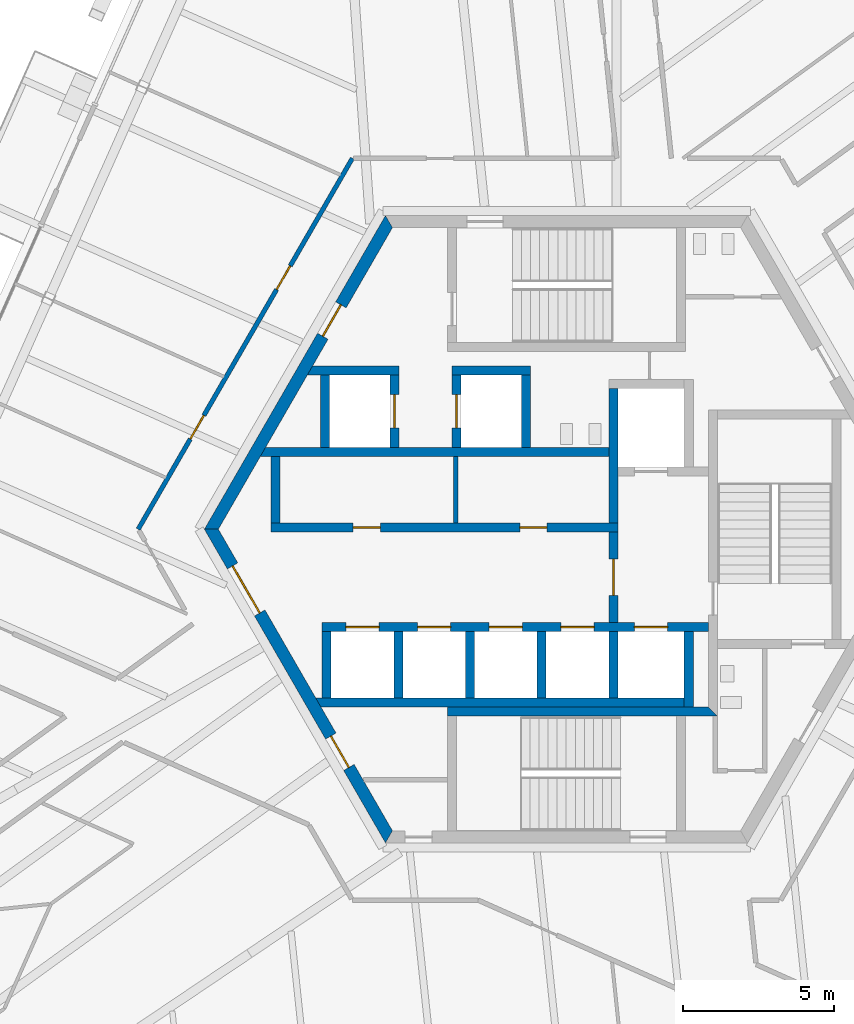
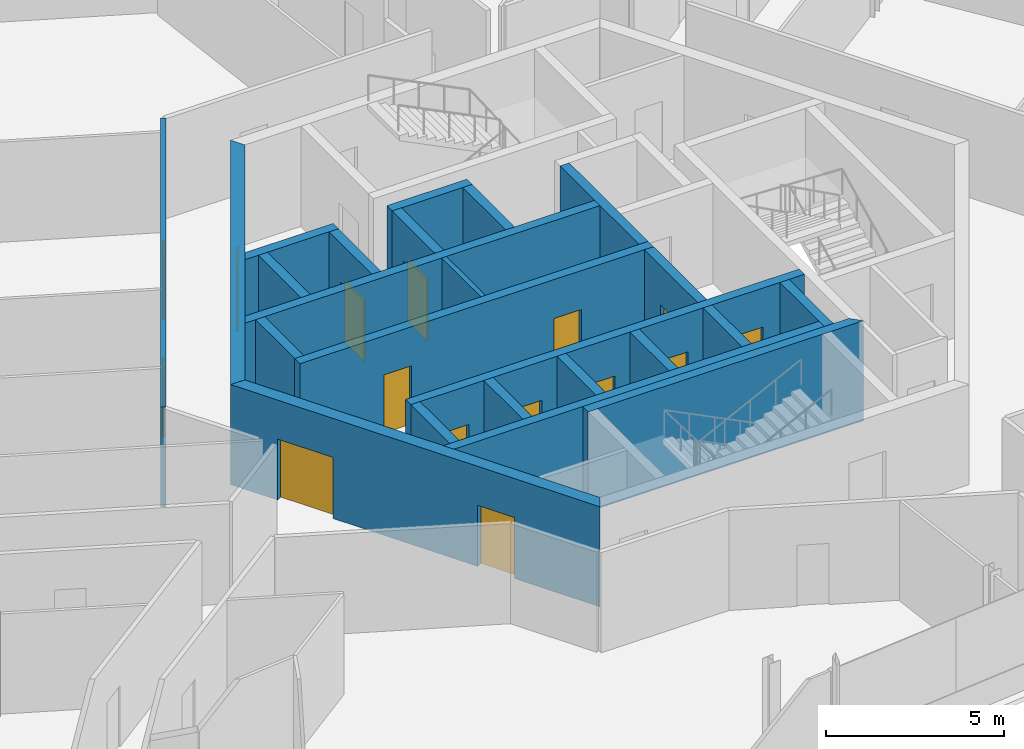
# One storey, part 11 of 20: 24 walls, 15 doors, 15 openings.
"""IFC4 building model written with IfcOpenShell, lengths in metres."""

import ifcopenshell
import ifcopenshell.guid

model = None  # the IFC model being written
_history = None  # IfcOwnerHistory: only IFC2X3 demands one
_inside = {}  # id of a spatial element -> (the spatial element, [elements in it])
_under = {}  # id of a project, library or spatial element -> (it, [spatial elements below it])
_declared = {}  # id of a project -> (the project, [libraries it declares])
_typed = {}  # id of a type object -> (the type object, [elements of that type])
_made_of = {}  # id of a material, layer set ... -> (it, [elements and type objects made of it])


def new_model(schema):
    """Start an empty IFC model of exactly this schema.

    Asked for "IFC4X3", IfcOpenShell would pick the latest addendum, in which some entities
    have other attributes; the version numbers below select the first issue.
    IFC2X3 requires an IfcOwnerHistory on every rooted entity: one is made here for all.
    """
    global model, _history
    if schema == "IFC4X3":
        model = ifcopenshell.file(schema_version=(4, 3, 0, 0))
    else:
        model = ifcopenshell.file(schema=schema)
    _inside.clear()
    _under.clear()
    _declared.clear()
    _typed.clear()
    _made_of.clear()
    _history = None
    if model.schema == "IFC2X3":
        org = make("IfcOrganization", Name="unknown")
        user = make(
            "IfcPersonAndOrganization",
            ThePerson=make("IfcPerson", FamilyName="unknown"),
            TheOrganization=org,
        )
        app = make(
            "IfcApplication",
            ApplicationDeveloper=org,
            Version="unknown",
            ApplicationFullName="unknown",
            ApplicationIdentifier="unknown",
        )
        _history = make(
            "IfcOwnerHistory",
            OwningUser=user,
            OwningApplication=app,
            ChangeAction="ADDED",
            CreationDate=0,
        )
    return model


def make(cls, **values):
    """One entity of the class cls with the attributes given. An attribute that is None is left unset."""
    return model.create_entity(
        cls, **{name: value for name, value in values.items() if value is not None}
    )


def rooted(cls, **values):
    """An entity with a GlobalId (a new one), such as an element, a storey or a relation."""
    return make(cls, GlobalId=ifcopenshell.guid.new(), OwnerHistory=_history, **values)


def si_unit(unit_type, name, prefix=None):
    """IfcSIUnit, for example si_unit("LENGTHUNIT", "METRE", prefix="MILLI")."""
    return make("IfcSIUnit", UnitType=unit_type, Prefix=prefix, Name=name)


def assignment(units):
    """IfcUnitAssignment: the units of a project."""
    return None if units is None else make("IfcUnitAssignment", Units=units)


def point(xyz):
    """IfcCartesianPoint."""
    return None if xyz is None else make("IfcCartesianPoint", Coordinates=xyz)


def direction(xyz):
    """IfcDirection."""
    return None if xyz is None else make("IfcDirection", DirectionRatios=xyz)


def frame(location, z_axis=None, x_axis=None):
    """IfcAxis2Placement3D, a coordinate frame: its origin and axes. An axis left out is left unset."""
    return make(
        "IfcAxis2Placement3D",
        Location=point(location),
        Axis=direction(z_axis),
        RefDirection=direction(x_axis),
    )


def frame_2d(location, x_axis=None):
    """IfcAxis2Placement2D, a coordinate frame in the plane: its origin and x axis."""
    return make(
        "IfcAxis2Placement2D", Location=point(location), RefDirection=direction(x_axis)
    )


def origin():
    """The frame at (0, 0, 0) with its axes left unset."""
    return frame((0.0, 0.0, 0.0))


def place(relative_to, where):
    """IfcLocalPlacement: puts the frame where relative to a parent placement (None: the world)."""
    return make(
        "IfcLocalPlacement", PlacementRelTo=relative_to, RelativePlacement=where
    )


def context(
    kind, dimensions, precision=None, world=None, true_north=None, identifier=None
):
    """IfcGeometricRepresentationContext, for example the 3D "Model" context."""
    return make(
        "IfcGeometricRepresentationContext",
        ContextIdentifier=identifier,
        ContextType=kind,
        CoordinateSpaceDimension=dimensions,
        Precision=precision,
        WorldCoordinateSystem=world,
        TrueNorth=true_north,
    )


def subcontext(parent, identifier, kind, view, scale=None):
    """IfcGeometricRepresentationSubContext, for example "Body" below "Model"."""
    return make(
        "IfcGeometricRepresentationSubContext",
        ContextIdentifier=identifier,
        ContextType=kind,
        ParentContext=parent,
        TargetScale=scale,
        TargetView=view,
    )


def project(units=None, contexts=None):
    """IfcProject with its units and contexts."""
    return rooted(
        "IfcProject",
        Name="project",
        RepresentationContexts=contexts,
        UnitsInContext=assignment(units),
    )


def spatial(cls, under=None, at=None, **own):
    """A site, building, storey or space (cls), placed at a placement, below another one or the project."""
    s = rooted(cls, ObjectPlacement=at, **own)
    if under is not None:
        _under.setdefault(under.id(), (under, []))[1].append(s)
    return s


def polyline(points):
    """IfcPolyline through the points."""
    return make("IfcPolyline", Points=[point(p) for p in points])


def profile(cls, at=None, kind="AREA", **sizes):
    """A parametric profile (cls). Its sizes go by their IFC names, for example OverallWidth=200.0."""
    return make(cls, ProfileType=kind, Position=at, **sizes)


def rectangle(**sizes):
    """IfcRectangleProfileDef."""
    return profile("IfcRectangleProfileDef", **sizes)


def outline(outer, holes=None, kind="AREA"):
    """IfcArbitraryClosedProfileDef: a profile drawn as a closed curve; with holes, ...WithVoids."""
    if holes is None:
        return make("IfcArbitraryClosedProfileDef", ProfileType=kind, OuterCurve=outer)
    return make(
        "IfcArbitraryProfileDefWithVoids",
        ProfileType=kind,
        OuterCurve=outer,
        InnerCurves=holes,
    )


def extrude(swept, where, along, depth):
    """IfcExtrudedAreaSolid: the profile swept, set in the frame where, extruded along a direction by depth."""
    return make(
        "IfcExtrudedAreaSolid",
        SweptArea=swept,
        Position=where,
        ExtrudedDirection=direction(along),
        Depth=depth,
    )


def shape(context_of_items, identifier, shape_type, items):
    """IfcShapeRepresentation: the items that make up one representation, for example the "Body"."""
    return make(
        "IfcShapeRepresentation",
        ContextOfItems=context_of_items,
        RepresentationIdentifier=identifier,
        RepresentationType=shape_type,
        Items=items,
    )


def source(mapping_origin, context_of_items, identifier, shape_type, items):
    """IfcRepresentationMap: a shape defined once, which mapped items show again and again."""
    return make(
        "IfcRepresentationMap",
        MappingOrigin=mapping_origin,
        MappedRepresentation=shape(context_of_items, identifier, shape_type, items),
    )


def transform(
    local_origin,
    x_axis=None,
    y_axis=None,
    z_axis=None,
    scale=None,
    scale2=None,
    scale3=None,
    uniform=True,
):
    """IfcCartesianTransformationOperator3D, or its non-uniform kind. x_axis, y_axis, z_axis: its Axis1, 2, 3."""
    if uniform:
        return make(
            "IfcCartesianTransformationOperator3D",
            Axis1=direction(x_axis),
            Axis2=direction(y_axis),
            LocalOrigin=point(local_origin),
            Scale=scale,
            Axis3=direction(z_axis),
        )
    return make(
        "IfcCartesianTransformationOperator3DnonUniform",
        Axis1=direction(x_axis),
        Axis2=direction(y_axis),
        LocalOrigin=point(local_origin),
        Scale=scale,
        Axis3=direction(z_axis),
        Scale2=scale2,
        Scale3=scale3,
    )


def mapped(mapping_source, mapping_target):
    """IfcMappedItem: shows the shape of a source again, moved by a transform."""
    return make(
        "IfcMappedItem", MappingSource=mapping_source, MappingTarget=mapping_target
    )


def material(Name=None, Category=None):
    """IfcMaterial."""
    return make("IfcMaterial", Name=Name, Category=Category)


def layer(
    of_material, thickness, ventilated=None, Name=None, Category=None, Priority=None
):
    """IfcMaterialLayer: one layer of a wall or slab, of a material (None: an air gap)."""
    return make(
        "IfcMaterialLayer",
        Material=of_material,
        LayerThickness=thickness,
        IsVentilated=ventilated,
        Name=Name,
        Category=Category,
        Priority=Priority,
    )


def layer_set(layers, Name=None):
    """IfcMaterialLayerSet."""
    return make("IfcMaterialLayerSet", MaterialLayers=layers, LayerSetName=Name)


def made_of(thing, what):
    """Note that an element or type object is made of a material, layer set ...; save() writes the relation."""
    if what is not None:
        _made_of.setdefault(what.id(), (what, []))[1].append(thing)
    return thing


def type_object(cls, material=None, **own):
    """A type object (cls), such as IfcWallType, which elements share."""
    return made_of(rooted(cls, **own), material)


def element(
    cls,
    number,
    at=None,
    inside=None,
    cuts=None,
    type_object=None,
    material=None,
    context=None,
    identifier="Body",
    shape_type=None,
    held_by="IfcProductDefinitionShape",
    body=None,
    shapes=None,
    **own,
):
    """One element of the class cls, such as IfcWall. Its Tag is "e" and its number.

    at: its placement. inside: the storey or other place that contains it. cuts: it is an
    opening in that element (IfcRelVoidsElement). A single representation is given by context,
    identifier, shape_type and body (its items); several are given by shapes. held_by: the class
    of the entity that holds the representations. save() writes the other relations.
    """
    e = rooted(cls, Tag="e%d" % number, ObjectPlacement=at, **own)
    if body is not None:
        shapes = [shape(context, identifier, shape_type, body)]
    if shapes is not None:
        e.Representation = make(held_by, Representations=shapes)
    if inside is not None:
        _inside.setdefault(inside.id(), (inside, []))[1].append(e)
    if cuts is not None:
        rooted(
            "IfcRelVoidsElement", RelatingBuildingElement=cuts, RelatedOpeningElement=e
        )
    if type_object is not None:
        _typed.setdefault(type_object.id(), (type_object, []))[1].append(e)
    return made_of(e, material)


def fill(opening, filler):
    """IfcRelFillsElement: the door or window that sits in an opening."""
    return rooted(
        "IfcRelFillsElement",
        RelatingOpeningElement=opening,
        RelatedBuildingElement=filler,
    )


def aggregate(whole, parts):
    """IfcRelAggregates: a whole, such as a stair, and the parts it consists of."""
    return rooted("IfcRelAggregates", RelatingObject=whole, RelatedObjects=parts)


def save(model, path):
    """Write the relations noted so far, then the file.

    IfcRelAggregates (storeys below a building ...), IfcRelContainedInSpatialStructure (elements
    in a storey), IfcRelDefinesByType, IfcRelAssociatesMaterial and IfcRelDeclares: one each for
    every whole, place, type object, material and project.
    """
    for whole, parts in _under.values():
        aggregate(whole, parts)
    for where, things in _inside.values():
        rooted(
            "IfcRelContainedInSpatialStructure",
            RelatedElements=things,
            RelatingStructure=where,
        )
    for kind, things in _typed.values():
        rooted("IfcRelDefinesByType", RelatedObjects=things, RelatingType=kind)
    for what, things in _made_of.values():
        rooted("IfcRelAssociatesMaterial", RelatedObjects=things, RelatingMaterial=what)
    for by, libraries in _declared.values():
        rooted("IfcRelDeclares", RelatingContext=by, RelatedDefinitions=libraries)
    model.write(path)


model = new_model("IFC4")

# Units and contexts
model_context = context("Model", 3, precision=1e-05, world=origin(), true_north=direction((0.0, 1.0)))
body_context = subcontext(model_context, "Body", "Model", "MODEL_VIEW")
ifc_project = project(units=[si_unit("LENGTHUNIT", "METRE"), si_unit("AREAUNIT", "SQUARE_METRE"), si_unit("VOLUMEUNIT", "CUBIC_METRE"), si_unit("PLANEANGLEUNIT", "RADIAN"), si_unit("MASSUNIT", "GRAM", prefix="KILO")], contexts=[model_context])

# Site, building, storey
site_placement = place(None, origin())
site = spatial("IfcSite", under=ifc_project, at=site_placement, CompositionType="ELEMENT")
building_placement = place(site_placement, origin())
building = spatial("IfcBuilding", under=site, at=building_placement, Name="Triune Harvest Tower", CompositionType="ELEMENT")
storey_placement = place(building_placement, frame((0.0, 0.0, 226.89990234375)))
storey = spatial("IfcBuildingStorey", under=building, at=storey_placement, Name="L59", CompositionType="ELEMENT", Elevation=226.89990234375)

# Wall, opening, door
ifc_material_1 = material(Name="Concrete 70 MPa", Category="concrete")
ifc_layer_1 = layer(ifc_material_1, 0.39990234375)
ifc_layer_set_1 = layer_set([ifc_layer_1], Name="Concrete 70 MPa")
wall_type_1 = type_object("IfcWallType", Name="Core wall 400", PredefinedType="SHEAR", material=ifc_layer_set_1)
shared_shape_1 = source(origin(), body_context, "Body", "SweptSolid", [
    extrude(outline(polyline([(-0.115478515625, -0.199951171875), (11.884521484375, -0.199951171875), (11.653564453125, 0.199951171875), (0.115478515625, 0.199951171875), (-0.115478515625, -0.199951171875)])), origin(), (0.0, 0.0, 1.0), 3.440185546875),
])
wall_1_placement = place(storey_placement, frame((-5.884521484375, 10.1923828125, 0.0), z_axis=(0.0, 0.0, 1.0), x_axis=(-0.499996592174, -0.866027371285, 0.0)))
wall_1 = element("IfcWall", 1, at=wall_1_placement, inside=storey, type_object=wall_type_1, Name="Hexagon 2 wall", PredefinedType="SHEAR", context=body_context, shape_type="MappedRepresentation", body=[
    mapped(shared_shape_1, transform((0.0, 0.0, 0.0), scale=1.0)),
])
opening_1_placement = place(wall_1_placement, frame((3.1845703125, 0.0, 0.0)))
opening_1 = element("IfcOpeningElement", 2, at=opening_1_placement, cuts=wall_1, Name="Opening CD-SVP", PredefinedType="OPENING", context=body_context, shape_type="SweptSolid", body=[
    extrude(rectangle(XDim=1.199951171875, YDim=2.10009765625, at=frame_2d((0.60009765625, 1.050048828125))), frame((0.0, 0.2099609375, 0.0), z_axis=(0.0, -1.0, 0.0), x_axis=(1.0, 0.0, 0.0)), (0.0, 0.0, 1.0), 0.419921875),
])
ifc_material_2 = material(Name="Steel S235", Category="steel")
door_type_1 = type_object("IfcDoorType", Name="Service door 1200 FD120", OperationType="SINGLE_SWING_LEFT", PredefinedType="DOOR", material=ifc_material_2)
door_1_placement = place(opening_1_placement, frame((1.199951171875, 0.0, 0.0), z_axis=(0.0, 0.0, 1.0), x_axis=(-1.0, 0.0, 0.0)))
door_1 = element("IfcDoor", 3, at=door_1_placement, inside=storey, type_object=door_type_1, Name="Door CD-SVP", OperationType="SINGLE_SWING_RIGHT", OverallHeight=2.10009765625, OverallWidth=1.199951171875, PredefinedType="DOOR", context=body_context, shape_type="SweptSolid", body=[
    extrude(rectangle(XDim=1.199951171875, YDim=2.10009765625, at=frame_2d((0.60009765625, 1.050048828125))), frame((0.0, 0.02490234375, 0.0), z_axis=(0.0, -1.0, 0.0), x_axis=(1.0, 0.0, 0.0)), (0.0, 0.0, 1.0), 0.050048828125),
])
fill(opening_1, door_1)

# Wall, openings, doors
wall_2_placement = place(storey_placement, frame((-11.76904296875, 0.0, 0.0), z_axis=(0.0, 0.0, 1.0), x_axis=(0.499996592174, -0.866027371285, 0.0)))
wall_2 = element("IfcWall", 4, at=wall_2_placement, inside=storey, type_object=wall_type_1, Name="Hexagon 3 wall", PredefinedType="SHEAR", context=body_context, shape_type="MappedRepresentation", body=[
    mapped(shared_shape_1, transform((0.0, 0.0, 0.0), scale=1.0)),
])
opening_2_placement = place(wall_2_placement, frame((1.404541015625, 0.0, 0.0)))
opening_2 = element("IfcOpeningElement", 5, at=opening_2_placement, cuts=wall_2, Name="Opening CD-LS", PredefinedType="OPENING", context=body_context, shape_type="SweptSolid", body=[
    extrude(rectangle(XDim=1.800048828125, YDim=2.10009765625, at=frame_2d((0.89990234375, 1.050048828125))), frame((0.0, 0.2099609375, 0.0), z_axis=(0.0, -1.0, 0.0), x_axis=(1.0, 0.0, 0.0)), (0.0, 0.0, 1.0), 0.419921875),
])
opening_3_placement = place(wall_2_placement, frame((7.91455078125, 0.0, 0.0)))
opening_3 = element("IfcOpeningElement", 6, at=opening_3_placement, cuts=wall_2, Name="Opening CD-SWP", PredefinedType="OPENING", context=body_context, shape_type="SweptSolid", body=[
    extrude(rectangle(XDim=1.199951171875, YDim=2.10009765625, at=frame_2d((0.60009765625, 1.050048828125))), frame((0.0, 0.2099609375, 0.0), z_axis=(0.0, -1.0, 0.0), x_axis=(1.0, 0.0, 0.0)), (0.0, 0.0, 1.0), 0.419921875),
])
ifc_material_3 = material(Name="Steel S235", Category="steel")
door_type_2 = type_object("IfcDoorType", Name="Lobby door 1800 FD120", OperationType="DOUBLE_DOOR_DOUBLE_SWING", PredefinedType="DOOR", material=ifc_material_3)
door_2_placement = place(opening_2_placement, frame((1.800048828125, 0.0, 0.0), z_axis=(0.0, 0.0, 1.0), x_axis=(-1.0, 0.0, 0.0)))
door_2 = element("IfcDoor", 7, at=door_2_placement, inside=storey, type_object=door_type_2, Name="Door CD-LS", OperationType="DOUBLE_DOOR_DOUBLE_SWING", OverallHeight=2.10009765625, OverallWidth=1.800048828125, PredefinedType="DOOR", context=body_context, shape_type="SweptSolid", body=[
    extrude(rectangle(XDim=1.800048828125, YDim=2.10009765625, at=frame_2d((0.89990234375, 1.050048828125))), frame((0.0, 0.02490234375, 0.0), z_axis=(0.0, -1.0, 0.0), x_axis=(1.0, 0.0, 0.0)), (0.0, 0.0, 1.0), 0.050048828125),
])
fill(opening_2, door_2)
door_3_placement = place(opening_3_placement, frame((1.199951171875, 0.0, 0.0), z_axis=(0.0, 0.0, 1.0), x_axis=(-1.0, 0.0, 0.0)))
door_3 = element("IfcDoor", 8, at=door_3_placement, inside=storey, type_object=door_type_1, Name="Door CD-SWP", OperationType="SINGLE_SWING_RIGHT", OverallHeight=2.10009765625, OverallWidth=1.199951171875, PredefinedType="DOOR", context=body_context, shape_type="SweptSolid", body=[
    extrude(rectangle(XDim=1.199951171875, YDim=2.10009765625, at=frame_2d((0.60009765625, 1.050048828125))), frame((0.0, 0.02490234375, 0.0), z_axis=(0.0, -1.0, 0.0), x_axis=(1.0, 0.0, 0.0)), (0.0, 0.0, 1.0), 0.050048828125),
])
fill(opening_3, door_3)

ifc_material_4 = material(Name="Concrete 70 MPa", Category="concrete")
ifc_layer_2 = layer(ifc_material_4, 0.300048828125)
ifc_layer_set_2 = layer_set([ifc_layer_2], Name="Concrete 70 MPa")
wall_type_2 = type_object("IfcWallType", Name="Core wall 300", PredefinedType="SHEAR", material=ifc_layer_set_2)
shared_shape_2 = source(origin(), body_context, "Body", "SweptSolid", [
    extrude(rectangle(XDim=11.5, YDim=0.300048828125, at=frame_2d((5.75, 0.0))), origin(), (0.0, 0.0, 1.0), 3.440185546875),
])
wall_3_placement = place(storey_placement, frame((-9.800048828125, 0.06005859375, 0.0), z_axis=(0.0, 0.0, 1.0), x_axis=(1.0, 0.0, 0.0)))
wall_3 = element("IfcWall", 9, at=wall_3_placement, inside=storey, type_object=wall_type_2, Name="North front wall", PredefinedType="SHEAR", context=body_context, shape_type="MappedRepresentation", body=[
    mapped(shared_shape_2, transform((0.0, 0.0, 0.0), scale=1.0)),
])
opening_4_placement = place(wall_3_placement, frame((2.7275390625, 0.0, 0.0)))
opening_4 = element("IfcOpeningElement", 10, at=opening_4_placement, cuts=wall_3, Name="Opening CD-RN1", PredefinedType="OPENING", context=body_context, shape_type="SweptSolid", body=[
    extrude(rectangle(XDim=0.89990234375, YDim=2.10009765625, at=frame_2d((0.449951171875, 1.050048828125))), frame((0.0, 0.16015625, 0.0), z_axis=(0.0, -1.0, 0.0), x_axis=(1.0, 0.0, 0.0)), (0.0, 0.0, 1.0), 0.320068359375),
])
opening_5_placement = place(wall_3_placement, frame((8.25244140625, 0.0, 0.0)))
opening_5 = element("IfcOpeningElement", 11, at=opening_5_placement, cuts=wall_3, Name="Opening CD-RN2", PredefinedType="OPENING", context=body_context, shape_type="SweptSolid", body=[
    extrude(rectangle(XDim=0.89990234375, YDim=2.10009765625, at=frame_2d((0.449951171875, 1.050048828125))), frame((0.0, 0.16015625, 0.0), z_axis=(0.0, -1.0, 0.0), x_axis=(1.0, 0.0, 0.0)), (0.0, 0.0, 1.0), 0.320068359375),
])
ifc_material_5 = material(Name="Steel S235", Category="steel")
door_type_3 = type_object("IfcDoorType", Name="Riser door 900 FD120", OperationType="SINGLE_SWING_LEFT", PredefinedType="DOOR", material=ifc_material_5)
door_4_placement = place(opening_4_placement, frame((0.89990234375, 0.0, 0.0), z_axis=(0.0, 0.0, 1.0), x_axis=(-1.0, 0.0, 0.0)))
door_4 = element("IfcDoor", 12, at=door_4_placement, inside=storey, type_object=door_type_3, Name="Door CD-RN1", OperationType="SINGLE_SWING_RIGHT", OverallHeight=2.10009765625, OverallWidth=0.89990234375, PredefinedType="DOOR", context=body_context, shape_type="SweptSolid", body=[
    extrude(rectangle(XDim=0.89990234375, YDim=2.10009765625, at=frame_2d((0.449951171875, 1.050048828125))), frame((0.0, 0.02490234375, 0.0), z_axis=(0.0, -1.0, 0.0), x_axis=(1.0, 0.0, 0.0)), (0.0, 0.0, 1.0), 0.050048828125),
])
fill(opening_4, door_4)
door_5_placement = place(opening_5_placement, frame((0.89990234375, 0.0, 0.0), z_axis=(0.0, 0.0, 1.0), x_axis=(-1.0, 0.0, 0.0)))
door_5 = element("IfcDoor", 13, at=door_5_placement, inside=storey, type_object=door_type_3, Name="Door CD-RN2", OperationType="SINGLE_SWING_RIGHT", OverallHeight=2.10009765625, OverallWidth=0.89990234375, PredefinedType="DOOR", context=body_context, shape_type="SweptSolid", body=[
    extrude(rectangle(XDim=0.89990234375, YDim=2.10009765625, at=frame_2d((0.449951171875, 1.050048828125))), frame((0.0, 0.02490234375, 0.0), z_axis=(0.0, -1.0, 0.0), x_axis=(1.0, 0.0, 0.0)), (0.0, 0.0, 1.0), 0.050048828125),
])
fill(opening_5, door_5)

# Walls
shared_shape_3 = source(origin(), body_context, "Body", "SweptSolid", [
    extrude(outline(polyline([(11.199951171875, -0.14990234375), (-0.34912109375, -0.14990234375), (-0.17578125, 0.14990234375), (11.199951171875, 0.14990234375), (11.199951171875, -0.14990234375)])), origin(), (0.0, 0.0, 1.0), 3.440185546875),
])
wall_4_placement = place(storey_placement, frame((-9.800048828125, 2.56005859375, 0.0), z_axis=(0.0, 0.0, 1.0), x_axis=(1.0, 0.0, 0.0)))
element("IfcWall", 14, at=wall_4_placement, inside=storey, type_object=wall_type_2, Name="North back wall", PredefinedType="SHEAR", context=body_context, shape_type="MappedRepresentation", body=[
    mapped(shared_shape_3, transform((0.0, 0.0, 0.0), scale=1.0)),
])
shared_shape_4 = source(origin(), body_context, "Body", "SweptSolid", [
    extrude(rectangle(XDim=2.5, YDim=0.300048828125, at=frame_2d((1.25, 0.0))), origin(), (0.0, 0.0, 1.0), 3.440185546875),
])
wall_5_placement = place(storey_placement, frame((4.050048828125, -5.889892578125, 0.0), z_axis=(0.0, 0.0, 1.0), x_axis=(0.0, 1.0, 0.0)))
element("IfcWall", 15, at=wall_5_placement, inside=storey, type_object=wall_type_2, Name="Ff2 east wall", PredefinedType="SHEAR", context=body_context, shape_type="MappedRepresentation", body=[
    mapped(shared_shape_4, transform((0.0, 0.0, 0.0), scale=1.0)),
])
shared_shape_5 = source(origin(), body_context, "Body", "SweptSolid", [
    extrude(rectangle(XDim=4.449951171875, YDim=0.300048828125, at=frame_2d((2.22509765625, 0.0))), origin(), (0.0, 0.0, 1.0), 3.440185546875),
])
wall_6_placement = place(storey_placement, frame((1.550048828125, 0.2099609375, 0.0), z_axis=(0.0, 0.0, 1.0), x_axis=(0.0, 1.0, 0.0)))
element("IfcWall", 16, at=wall_6_placement, inside=storey, type_object=wall_type_2, Name="Ff1 west wall", PredefinedType="SHEAR", context=body_context, shape_type="MappedRepresentation", body=[
    mapped(shared_shape_5, transform((0.0, 0.0, 0.0), scale=1.0)),
])

# Wall, opening, door
shared_shape_6 = source(origin(), body_context, "Body", "SweptSolid", [
    extrude(rectangle(XDim=3.0, YDim=0.300048828125, at=frame_2d((1.5, 0.0))), origin(), (0.0, 0.0, 1.0), 3.440185546875),
])
wall_7_placement = place(storey_placement, frame((1.550048828125, -3.090087890625, 0.0), z_axis=(0.0, 0.0, 1.0), x_axis=(0.0, 1.0, 0.0)))
wall_7 = element("IfcWall", 17, at=wall_7_placement, inside=storey, type_object=wall_type_2, Name="Ff lobby west wall", PredefinedType="SHEAR", context=body_context, shape_type="MappedRepresentation", body=[
    mapped(shared_shape_6, transform((0.0, 0.0, 0.0), scale=1.0)),
])
opening_6_placement = place(wall_7_placement, frame((0.89990234375, 0.0, 0.0)))
opening_6 = element("IfcOpeningElement", 18, at=opening_6_placement, cuts=wall_7, Name="Opening CD-FL", PredefinedType="OPENING", context=body_context, shape_type="SweptSolid", body=[
    extrude(rectangle(XDim=1.199951171875, YDim=2.10009765625, at=frame_2d((0.60009765625, 1.050048828125))), frame((0.0, 0.16015625, 0.0), z_axis=(0.0, -1.0, 0.0), x_axis=(1.0, 0.0, 0.0)), (0.0, 0.0, 1.0), 0.320068359375),
])
ifc_material_6 = material(Name="Steel S235", Category="steel")
door_type_4 = type_object("IfcDoorType", Name="Firefighters' lobby door 1200 FD120", OperationType="SINGLE_SWING_LEFT", PredefinedType="DOOR", material=ifc_material_6)
door_6_placement = place(opening_6_placement, frame((1.199951171875, 0.0, 0.0), z_axis=(0.0, 0.0, 1.0), x_axis=(-1.0, 0.0, 0.0)))
door_6 = element("IfcDoor", 19, at=door_6_placement, inside=storey, type_object=door_type_4, Name="Door CD-FL", OperationType="SINGLE_SWING_RIGHT", OverallHeight=2.10009765625, OverallWidth=1.199951171875, PredefinedType="DOOR", context=body_context, shape_type="SweptSolid", body=[
    extrude(rectangle(XDim=1.199951171875, YDim=2.10009765625, at=frame_2d((0.60009765625, 1.050048828125))), frame((0.0, 0.02490234375, 0.0), z_axis=(0.0, -1.0, 0.0), x_axis=(1.0, 0.0, 0.0)), (0.0, 0.0, 1.0), 0.050048828125),
])
fill(opening_6, door_6)

# Wall, openings, doors
shared_shape_7 = source(origin(), body_context, "Body", "SweptSolid", [
    extrude(rectangle(XDim=12.800048828125, YDim=0.300048828125, at=frame_2d((6.39990234375, 0.0))), origin(), (0.0, 0.0, 1.0), 3.440185546875),
])
wall_8_placement = place(storey_placement, frame((-8.10009765625, -3.239990234375, 0.0), z_axis=(0.0, 0.0, 1.0), x_axis=(1.0, 0.0, 0.0)))
wall_8 = element("IfcWall", 20, at=wall_8_placement, inside=storey, type_object=wall_type_2, Name="South front wall", PredefinedType="SHEAR", context=body_context, shape_type="MappedRepresentation", body=[
    mapped(shared_shape_7, transform((0.0, 0.0, 0.0), scale=1.0)),
])
opening_7_placement = place(wall_8_placement, frame((0.78759765625, 0.0, 0.0)))
opening_7 = element("IfcOpeningElement", 21, at=opening_7_placement, cuts=wall_8, Name="Opening LD-HR1-59", PredefinedType="OPENING", context=body_context, shape_type="SweptSolid", body=[
    extrude(rectangle(XDim=1.10009765625, YDim=2.10009765625, at=frame_2d((0.550048828125, 1.050048828125))), frame((0.0, 0.16015625, 0.0), z_axis=(0.0, -1.0, 0.0), x_axis=(1.0, 0.0, 0.0)), (0.0, 0.0, 1.0), 0.320068359375),
])
opening_8_placement = place(wall_8_placement, frame((3.16259765625, 0.0, 0.0)))
opening_8 = element("IfcOpeningElement", 22, at=opening_8_placement, cuts=wall_8, Name="Opening LD-HR2-59", PredefinedType="OPENING", context=body_context, shape_type="SweptSolid", body=[
    extrude(rectangle(XDim=1.10009765625, YDim=2.10009765625, at=frame_2d((0.550048828125, 1.050048828125))), frame((0.0, 0.16015625, 0.0), z_axis=(0.0, -1.0, 0.0), x_axis=(1.0, 0.0, 0.0)), (0.0, 0.0, 1.0), 0.320068359375),
])
opening_9_placement = place(wall_8_placement, frame((5.53759765625, 0.0, 0.0)))
opening_9 = element("IfcOpeningElement", 23, at=opening_9_placement, cuts=wall_8, Name="Opening LD-HR3-59", PredefinedType="OPENING", context=body_context, shape_type="SweptSolid", body=[
    extrude(rectangle(XDim=1.10009765625, YDim=2.10009765625, at=frame_2d((0.550048828125, 1.050048828125))), frame((0.0, 0.16015625, 0.0), z_axis=(0.0, -1.0, 0.0), x_axis=(1.0, 0.0, 0.0)), (0.0, 0.0, 1.0), 0.320068359375),
])
opening_10_placement = place(wall_8_placement, frame((7.91259765625, 0.0, 0.0)))
opening_10 = element("IfcOpeningElement", 24, at=opening_10_placement, cuts=wall_8, Name="Opening LD-HR4-59", PredefinedType="OPENING", context=body_context, shape_type="SweptSolid", body=[
    extrude(rectangle(XDim=1.10009765625, YDim=2.10009765625, at=frame_2d((0.550048828125, 1.050048828125))), frame((0.0, 0.16015625, 0.0), z_axis=(0.0, -1.0, 0.0), x_axis=(1.0, 0.0, 0.0)), (0.0, 0.0, 1.0), 0.320068359375),
])
opening_11_placement = place(wall_8_placement, frame((10.35009765625, 0.0, 0.0)))
opening_11 = element("IfcOpeningElement", 25, at=opening_11_placement, cuts=wall_8, Name="Opening LD-FF2-59", PredefinedType="OPENING", context=body_context, shape_type="SweptSolid", body=[
    extrude(rectangle(XDim=1.10009765625, YDim=2.10009765625, at=frame_2d((0.550048828125, 1.050048828125))), frame((0.0, 0.16015625, 0.0), z_axis=(0.0, -1.0, 0.0), x_axis=(1.0, 0.0, 0.0)), (0.0, 0.0, 1.0), 0.320068359375),
])
ifc_material_7 = material(Name="Stainless steel AISI 304", Category="steel")
door_type_5 = type_object("IfcDoorType", Name="Landing door 1100 x 2100", OperationType="DOUBLE_DOOR_SLIDING", PredefinedType="DOOR", material=ifc_material_7)
door_7_placement = place(opening_7_placement, origin())
door_7 = element("IfcDoor", 26, at=door_7_placement, inside=storey, type_object=door_type_5, Name="Door LD-HR1-59", OperationType="DOUBLE_DOOR_SLIDING", OverallHeight=2.10009765625, OverallWidth=1.10009765625, PredefinedType="DOOR", context=body_context, shape_type="SweptSolid", body=[
    extrude(rectangle(XDim=1.10009765625, YDim=2.10009765625, at=frame_2d((0.550048828125, 1.050048828125))), frame((0.0, 0.02490234375, 0.0), z_axis=(0.0, -1.0, 0.0), x_axis=(1.0, 0.0, 0.0)), (0.0, 0.0, 1.0), 0.050048828125),
])
fill(opening_7, door_7)
door_8_placement = place(opening_8_placement, origin())
door_8 = element("IfcDoor", 27, at=door_8_placement, inside=storey, type_object=door_type_5, Name="Door LD-HR2-59", OperationType="DOUBLE_DOOR_SLIDING", OverallHeight=2.10009765625, OverallWidth=1.10009765625, PredefinedType="DOOR", context=body_context, shape_type="SweptSolid", body=[
    extrude(rectangle(XDim=1.10009765625, YDim=2.10009765625, at=frame_2d((0.550048828125, 1.050048828125))), frame((0.0, 0.02490234375, 0.0), z_axis=(0.0, -1.0, 0.0), x_axis=(1.0, 0.0, 0.0)), (0.0, 0.0, 1.0), 0.050048828125),
])
fill(opening_8, door_8)
door_9_placement = place(opening_9_placement, origin())
door_9 = element("IfcDoor", 28, at=door_9_placement, inside=storey, type_object=door_type_5, Name="Door LD-HR3-59", OperationType="DOUBLE_DOOR_SLIDING", OverallHeight=2.10009765625, OverallWidth=1.10009765625, PredefinedType="DOOR", context=body_context, shape_type="SweptSolid", body=[
    extrude(rectangle(XDim=1.10009765625, YDim=2.10009765625, at=frame_2d((0.550048828125, 1.050048828125))), frame((0.0, 0.02490234375, 0.0), z_axis=(0.0, -1.0, 0.0), x_axis=(1.0, 0.0, 0.0)), (0.0, 0.0, 1.0), 0.050048828125),
])
fill(opening_9, door_9)
door_10_placement = place(opening_10_placement, origin())
door_10 = element("IfcDoor", 29, at=door_10_placement, inside=storey, type_object=door_type_5, Name="Door LD-HR4-59", OperationType="DOUBLE_DOOR_SLIDING", OverallHeight=2.10009765625, OverallWidth=1.10009765625, PredefinedType="DOOR", context=body_context, shape_type="SweptSolid", body=[
    extrude(rectangle(XDim=1.10009765625, YDim=2.10009765625, at=frame_2d((0.550048828125, 1.050048828125))), frame((0.0, 0.02490234375, 0.0), z_axis=(0.0, -1.0, 0.0), x_axis=(1.0, 0.0, 0.0)), (0.0, 0.0, 1.0), 0.050048828125),
])
fill(opening_10, door_10)
door_11_placement = place(opening_11_placement, origin())
door_11 = element("IfcDoor", 30, at=door_11_placement, inside=storey, type_object=door_type_5, Name="Door LD-FF2-59", OperationType="DOUBLE_DOOR_SLIDING", OverallHeight=2.10009765625, OverallWidth=1.10009765625, PredefinedType="DOOR", context=body_context, shape_type="SweptSolid", body=[
    extrude(rectangle(XDim=1.10009765625, YDim=2.10009765625, at=frame_2d((0.550048828125, 1.050048828125))), frame((0.0, 0.02490234375, 0.0), z_axis=(0.0, -1.0, 0.0), x_axis=(1.0, 0.0, 0.0)), (0.0, 0.0, 1.0), 0.050048828125),
])
fill(opening_11, door_11)

# Walls
shared_shape_8 = source(origin(), body_context, "Body", "SweptSolid", [
    extrude(outline(polyline([(12.0, -0.14990234375), (-0.039794921875, -0.14990234375), (-0.212890625, 0.14990234375), (12.0, 0.14990234375), (12.0, -0.14990234375)])), origin(), (0.0, 0.0, 1.0), 3.440185546875),
])
wall_9_placement = place(storey_placement, frame((-8.10009765625, -5.739990234375, 0.0), z_axis=(0.0, 0.0, 1.0), x_axis=(1.0, 0.0, 0.0)))
element("IfcWall", 31, at=wall_9_placement, inside=storey, type_object=wall_type_2, Name="South back wall", PredefinedType="SHEAR", context=body_context, shape_type="MappedRepresentation", body=[
    mapped(shared_shape_8, transform((0.0, 0.0, 0.0), scale=1.0)),
])
shared_shape_9 = source(origin(), body_context, "Body", "SweptSolid", [
    extrude(rectangle(XDim=2.2001953125, YDim=0.300048828125, at=frame_2d((1.10009765625, 0.0))), origin(), (0.0, 0.0, 1.0), 3.440185546875),
])
for number, where, z_axis, x_axis, name in (
    (32, (-7.949951171875, -5.590087890625, 0.0), (0.0, 0.0, 1.0), (0.0, 1.0, 0.0), "South end west wall"),
    (33, (1.550048828125, -5.590087890625, 0.0), (0.0, 0.0, 1.0), (0.0, 1.0, 0.0), "Ff2 west wall"),
    (34, (-5.574951171875, -5.590087890625, 0.0), (0.0, 0.0, 1.0), (0.0, 1.0, 0.0), "South cross 1 wall"),
    (35, (-3.199951171875, -5.590087890625, 0.0), (0.0, 0.0, 1.0), (0.0, 1.0, 0.0), "South cross 2 wall"),
    (36, (-0.824951171875, -5.590087890625, 0.0), (0.0, 0.0, 1.0), (0.0, 1.0, 0.0), "South cross 3 wall"),
):
    element("IfcWall", number, at=place(storey_placement, frame(where, z_axis=z_axis, x_axis=x_axis)), inside=storey, type_object=wall_type_2, Name=name, PredefinedType="SHEAR", context=body_context, shape_type="MappedRepresentation", body=[
        mapped(shared_shape_9, transform((0.0, 0.0, 0.0), scale=1.0)),
    ])
shared_shape_10 = source(origin(), body_context, "Body", "SweptSolid", [
    extrude(rectangle(XDim=2.199951171875, YDim=0.300048828125, at=frame_2d((1.10009765625, 0.0))), origin(), (0.0, 0.0, 1.0), 3.440185546875),
])
wall_10_placement = place(storey_placement, frame((-9.64990234375, 0.2099609375, 0.0), z_axis=(0.0, 0.0, 1.0), x_axis=(0.0, 1.0, 0.0)))
element("IfcWall", 37, at=wall_10_placement, inside=storey, type_object=wall_type_2, Name="North end west wall", PredefinedType="SHEAR", context=body_context, shape_type="MappedRepresentation", body=[
    mapped(shared_shape_10, transform((0.0, 0.0, 0.0), scale=1.0)),
])
shared_shape_11 = source(origin(), body_context, "Body", "SweptSolid", [
    extrude(outline(polyline([(0.0, -0.14990234375), (8.949951171875, -0.14990234375), (8.64990234375, 0.14990234375), (0.0, 0.14990234375), (0.0, -0.14990234375)])), origin(), (0.0, 0.0, 1.0), 3.440185546875),
])
wall_11_placement = place(storey_placement, frame((-3.949951171875, -6.0400390625, 0.0), z_axis=(0.0, 0.0, 1.0), x_axis=(1.0, 0.0, 0.0)))
element("IfcWall", 38, at=wall_11_placement, inside=storey, type_object=wall_type_2, Name="Stair s north wall", PredefinedType="SHEAR", context=body_context, shape_type="MappedRepresentation", body=[
    mapped(shared_shape_11, transform((0.0, 0.0, 0.0), scale=1.0)),
])
shared_shape_12 = source(origin(), body_context, "Body", "SweptSolid", [
    extrude(outline(polyline([(2.60009765625, -0.14990234375), (-0.440185546875, -0.14990234375), (-0.26708984375, 0.14990234375), (2.60009765625, 0.14990234375), (2.60009765625, -0.14990234375)])), origin(), (0.0, 0.0, 1.0), 3.440185546875),
])
wall_12_placement = place(storey_placement, frame((-8.14990234375, 5.260009765625, 0.0), z_axis=(0.0, 0.0, 1.0), x_axis=(1.0, 0.0, 0.0)))
element("IfcWall", 39, at=wall_12_placement, inside=storey, type_object=wall_type_2, Name="Sv1 north wall", PredefinedType="SHEAR", context=body_context, shape_type="MappedRepresentation", body=[
    mapped(shared_shape_12, transform((0.0, 0.0, 0.0), scale=1.0)),
])
shared_shape_13 = source(origin(), body_context, "Body", "SweptSolid", [
    extrude(rectangle(XDim=2.400146484375, YDim=0.300048828125, at=frame_2d((1.2001953125, 0.0))), origin(), (0.0, 0.0, 1.0), 3.440185546875),
])
wall_13_placement = place(storey_placement, frame((-8.0, 2.7099609375, 0.0), z_axis=(0.0, 0.0, 1.0), x_axis=(0.0, 1.0, 0.0)))
element("IfcWall", 40, at=wall_13_placement, inside=storey, type_object=wall_type_2, Name="Sv1 west wall", PredefinedType="SHEAR", context=body_context, shape_type="MappedRepresentation", body=[
    mapped(shared_shape_13, transform((0.0, 0.0, 0.0), scale=1.0)),
])

# Wall, opening, door
wall_14_placement = place(storey_placement, frame((-5.699951171875, 2.7099609375, 0.0), z_axis=(0.0, 0.0, 1.0), x_axis=(0.0, 1.0, 0.0)))
wall_14 = element("IfcWall", 41, at=wall_14_placement, inside=storey, type_object=wall_type_2, Name="Sv1 east wall", PredefinedType="SHEAR", context=body_context, shape_type="MappedRepresentation", body=[
    mapped(shared_shape_13, transform((0.0, 0.0, 0.0), scale=1.0)),
])
opening_12_placement = place(wall_14_placement, frame((0.64990234375, 0.0, 0.0)))
opening_12 = element("IfcOpeningElement", 42, at=opening_12_placement, cuts=wall_14, Name="Opening LD-SV1-59", PredefinedType="OPENING", context=body_context, shape_type="SweptSolid", body=[
    extrude(rectangle(XDim=1.10009765625, YDim=2.10009765625, at=frame_2d((0.550048828125, 1.050048828125))), frame((0.0, 0.16015625, 0.0), z_axis=(0.0, -1.0, 0.0), x_axis=(1.0, 0.0, 0.0)), (0.0, 0.0, 1.0), 0.320068359375),
])
door_12_placement = place(opening_12_placement, origin())
door_12 = element("IfcDoor", 43, at=door_12_placement, inside=storey, type_object=door_type_5, Name="Door LD-SV1-59", OperationType="DOUBLE_DOOR_SLIDING", OverallHeight=2.10009765625, OverallWidth=1.10009765625, PredefinedType="DOOR", context=body_context, shape_type="SweptSolid", body=[
    extrude(rectangle(XDim=1.10009765625, YDim=2.10009765625, at=frame_2d((0.550048828125, 1.050048828125))), frame((0.0, 0.02490234375, 0.0), z_axis=(0.0, -1.0, 0.0), x_axis=(1.0, 0.0, 0.0)), (0.0, 0.0, 1.0), 0.050048828125),
])
fill(opening_12, door_12)

wall_15_placement = place(storey_placement, frame((-3.64990234375, 2.7099609375, 0.0), z_axis=(0.0, 0.0, 1.0), x_axis=(0.0, 1.0, 0.0)))
wall_15 = element("IfcWall", 44, at=wall_15_placement, inside=storey, type_object=wall_type_2, Name="Sv2 west wall", PredefinedType="SHEAR", context=body_context, shape_type="MappedRepresentation", body=[
    mapped(shared_shape_13, transform((0.0, 0.0, 0.0), scale=1.0)),
])
opening_13_placement = place(wall_15_placement, frame((0.64990234375, 0.0, 0.0)))
opening_13 = element("IfcOpeningElement", 45, at=opening_13_placement, cuts=wall_15, Name="Opening LD-SV2-59", PredefinedType="OPENING", context=body_context, shape_type="SweptSolid", body=[
    extrude(rectangle(XDim=1.10009765625, YDim=2.10009765625, at=frame_2d((0.550048828125, 1.050048828125))), frame((0.0, 0.16015625, 0.0), z_axis=(0.0, -1.0, 0.0), x_axis=(1.0, 0.0, 0.0)), (0.0, 0.0, 1.0), 0.320068359375),
])
door_13_placement = place(opening_13_placement, origin())
door_13 = element("IfcDoor", 46, at=door_13_placement, inside=storey, type_object=door_type_5, Name="Door LD-SV2-59", OperationType="DOUBLE_DOOR_SLIDING", OverallHeight=2.10009765625, OverallWidth=1.10009765625, PredefinedType="DOOR", context=body_context, shape_type="SweptSolid", body=[
    extrude(rectangle(XDim=1.10009765625, YDim=2.10009765625, at=frame_2d((0.550048828125, 1.050048828125))), frame((0.0, 0.02490234375, 0.0), z_axis=(0.0, -1.0, 0.0), x_axis=(1.0, 0.0, 0.0)), (0.0, 0.0, 1.0), 0.050048828125),
])
fill(opening_13, door_13)

# Walls
wall_16_placement = place(storey_placement, frame((-1.35009765625, 2.7099609375, 0.0), z_axis=(0.0, 0.0, 1.0), x_axis=(0.0, 1.0, 0.0)))
element("IfcWall", 47, at=wall_16_placement, inside=storey, type_object=wall_type_2, Name="Sv2 east wall", PredefinedType="SHEAR", context=body_context, shape_type="MappedRepresentation", body=[
    mapped(shared_shape_13, transform((0.0, 0.0, 0.0), scale=1.0)),
])
shared_shape_14 = source(origin(), body_context, "Body", "SweptSolid", [
    extrude(rectangle(XDim=2.60009765625, YDim=0.300048828125, at=frame_2d((1.300048828125, 0.0))), origin(), (0.0, 0.0, 1.0), 3.440185546875),
])
wall_17_placement = place(storey_placement, frame((-3.800048828125, 5.260009765625, 0.0), z_axis=(0.0, 0.0, 1.0), x_axis=(1.0, 0.0, 0.0)))
element("IfcWall", 48, at=wall_17_placement, inside=storey, type_object=wall_type_2, Name="Sv2 north wall", PredefinedType="SHEAR", context=body_context, shape_type="MappedRepresentation", body=[
    mapped(shared_shape_14, transform((0.0, 0.0, 0.0), scale=1.0)),
])
ifc_material_8 = material(Name="Concrete masonry unit", Category="masonry")
ifc_layer_3 = layer(ifc_material_8, 0.14990234375)
ifc_layer_set_3 = layer_set([ifc_layer_3], Name="Concrete masonry unit")
wall_type_3 = type_object("IfcWallType", Name="Block partition 150", PredefinedType="PARTITIONING", material=ifc_layer_set_3)
shared_shape_15 = source(origin(), body_context, "Body", "SweptSolid", [
    extrude(rectangle(XDim=2.199951171875, YDim=0.14990234375, at=frame_2d((1.10009765625, 0.0))), origin(), (0.0, 0.0, 1.0), 3.440185546875),
])
wall_18_placement = place(storey_placement, frame((-3.669921875, 0.2099609375, 0.0), z_axis=(0.0, 0.0, 1.0), x_axis=(0.0, 1.0, 0.0)))
element("IfcWall", 49, at=wall_18_placement, inside=storey, type_object=wall_type_3, Name="Row n part 1 wall", PredefinedType="PARTITIONING", context=body_context, shape_type="MappedRepresentation", body=[
    mapped(shared_shape_15, transform((0.0, 0.0, 0.0), scale=1.0)),
])

# Wall, openings, doors
ifc_material_9 = material(Name="Gypsum board on steel studs", Category="steel")
ifc_layer_4 = layer(ifc_material_9, 0.14990234375)
ifc_layer_set_4 = layer_set([ifc_layer_4], Name="Gypsum board on steel studs")
wall_type_4 = type_object("IfcWallType", Name="Fire Partition 150 mm", PredefinedType="PARTITIONING", material=ifc_layer_set_4)
shared_shape_16 = source(origin(), body_context, "Body", "SweptSolid", [
    extrude(rectangle(XDim=14.19384765625, YDim=0.14990234375, at=frame_2d((7.096923828125, 0.0))), origin(), (0.0, 0.0, 1.0), 3.440185546875),
])
wall_19_placement = place(storey_placement, frame((-14.19384765625, 0.0, 0.0), z_axis=(0.0, 0.0, 1.0), x_axis=(0.499999887723, 0.866025468608, 0.0)))
wall_19 = element("IfcWall", 50, at=wall_19_placement, inside=storey, type_object=wall_type_4, Name="Partition L59 057", PredefinedType="PARTITIONING", context=body_context, shape_type="MappedRepresentation", body=[
    mapped(shared_shape_16, transform((0.0, 0.0, 0.0), scale=1.0)),
])
opening_14_placement = place(wall_19_placement, frame((9.1767578125, 0.0, 0.0)))
opening_14 = element("IfcOpeningElement", 51, at=opening_14_placement, cuts=wall_19, Name="Opening L59-012", PredefinedType="OPENING", context=body_context, shape_type="SweptSolid", body=[
    extrude(rectangle(XDim=0.89990234375, YDim=2.10009765625, at=frame_2d((0.449951171875, 1.050048828125))), frame((0.0, 0.0849609375, 0.0), z_axis=(0.0, -1.0, 0.0), x_axis=(1.0, 0.0, 0.0)), (0.0, 0.0, 1.0), 0.169921875),
])
opening_15_placement = place(wall_19_placement, frame((3.454833984375, 0.0, 0.0)))
opening_15 = element("IfcOpeningElement", 52, at=opening_15_placement, cuts=wall_19, Name="Opening L59-014", PredefinedType="OPENING", context=body_context, shape_type="SweptSolid", body=[
    extrude(rectangle(XDim=0.89990234375, YDim=2.10009765625, at=frame_2d((0.449951171875, 1.050048828125))), frame((0.0, 0.0849609375, 0.0), z_axis=(0.0, -1.0, 0.0), x_axis=(1.0, 0.0, 0.0)), (0.0, 0.0, 1.0), 0.169921875),
])
ifc_material_10 = material(Name="Timber and steel door set", Category="steel")
door_type_6 = type_object("IfcDoorType", Name="Single leaf door FD30 left hand 900 x 2100", OperationType="SINGLE_SWING_LEFT", PredefinedType="DOOR", material=ifc_material_10)
door_14_placement = place(opening_15_placement, origin())
door_14 = element("IfcDoor", 53, at=door_14_placement, inside=storey, type_object=door_type_6, Name="Door L59-014 Phone room 59.14", OperationType="SINGLE_SWING_LEFT", OverallHeight=2.10009765625, OverallWidth=0.89990234375, PredefinedType="DOOR", context=body_context, shape_type="SweptSolid", body=[
    extrude(rectangle(XDim=0.89990234375, YDim=2.10009765625, at=frame_2d((0.449951171875, 1.050048828125))), frame((0.0, 0.02490234375, 0.0), z_axis=(0.0, -1.0, 0.0), x_axis=(1.0, 0.0, 0.0)), (0.0, 0.0, 1.0), 0.050048828125),
])
fill(opening_15, door_14)
ifc_material_11 = material(Name="Timber and steel door set", Category="steel")
door_type_7 = type_object("IfcDoorType", Name="Single leaf door FD30 right hand 900 x 2100", OperationType="SINGLE_SWING_RIGHT", PredefinedType="DOOR", material=ifc_material_11)
door_15_placement = place(opening_14_placement, origin())
door_15 = element("IfcDoor", 54, at=door_15_placement, inside=storey, type_object=door_type_7, Name="Door L59-012 Office 59.12", OperationType="SINGLE_SWING_RIGHT", OverallHeight=2.10009765625, OverallWidth=0.89990234375, PredefinedType="DOOR", context=body_context, shape_type="SweptSolid", body=[
    extrude(rectangle(XDim=0.89990234375, YDim=2.10009765625, at=frame_2d((0.449951171875, 1.050048828125))), frame((0.0, 0.02490234375, 0.0), z_axis=(0.0, -1.0, 0.0), x_axis=(1.0, 0.0, 0.0)), (0.0, 0.0, 1.0), 0.050048828125),
])
fill(opening_14, door_15)

save(model, "model.ifc")
